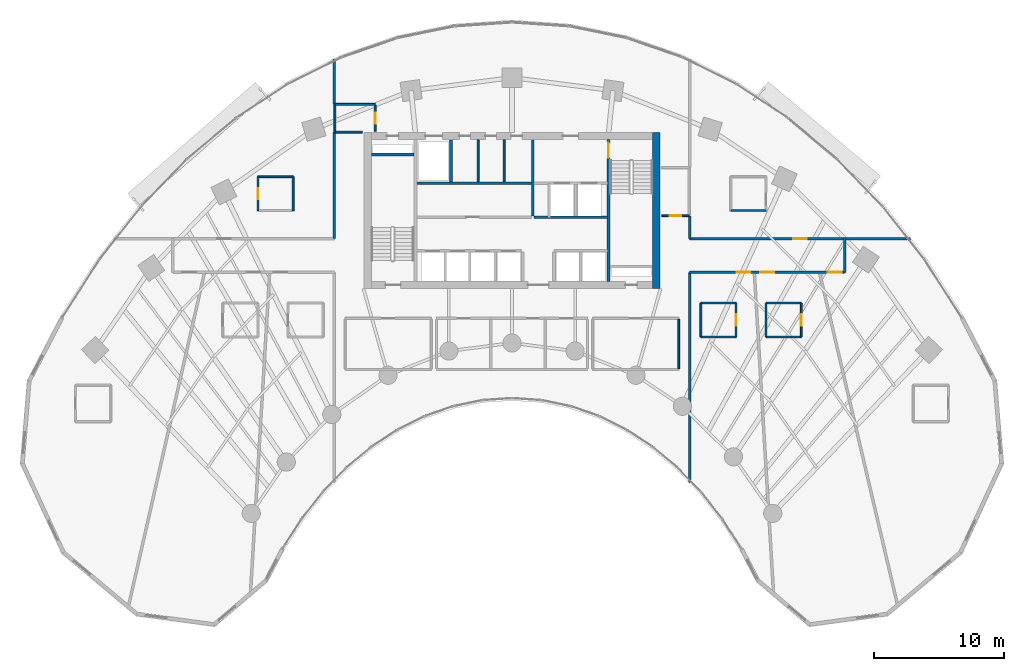
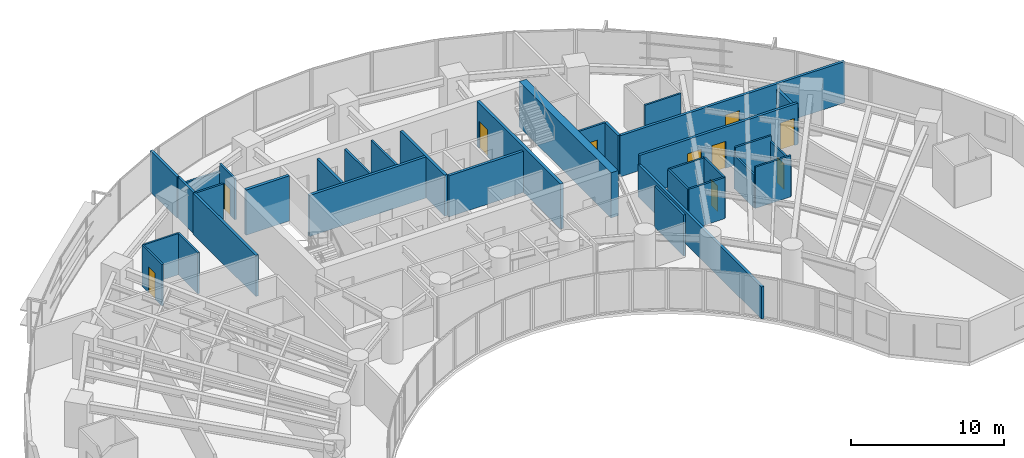
# One storey, part 13 of 17: 34 walls, 10 doors, 10 openings.
"""IFC4 building model written with IfcOpenShell, lengths in metres."""

from ifc_helpers import new_model, si_unit, direction, frame, frame_2d, origin, place, context, subcontext, project, spatial, rectangle, extrude, source, transform, mapped, material, layer, layer_set, type_object, type_shapes, element, fill, save


model = new_model("IFC4")

# Units and contexts
model_context = context("Model", 3, precision=1e-05, world=origin(), true_north=direction((0.0, 1.0)))
body_context = subcontext(model_context, "Body", "Model", "MODEL_VIEW")
ifc_project = project(units=[si_unit("LENGTHUNIT", "METRE"), si_unit("AREAUNIT", "SQUARE_METRE"), si_unit("VOLUMEUNIT", "CUBIC_METRE"), si_unit("PLANEANGLEUNIT", "RADIAN"), si_unit("MASSUNIT", "GRAM", prefix="KILO")], contexts=[model_context])

# Site, building, storey
site_placement = place(None, origin())
site = spatial("IfcSite", under=ifc_project, at=site_placement, CompositionType="ELEMENT")
building_placement = place(site_placement, origin())
building = spatial("IfcBuilding", under=site, at=building_placement, Name="Breltana Convention Tower", CompositionType="ELEMENT")
storey_placement = place(building_placement, frame((0.0, 0.0, 82.199951171875)))
storey = spatial("IfcBuildingStorey", under=building, at=storey_placement, Name="L19", CompositionType="ELEMENT", Elevation=82.199951171875)

# Walls
ifc_material_1 = material(Name="Concrete C60/75", Category="concrete")
ifc_layer_1 = layer(ifc_material_1, 0.550048828125, Name="Concrete C60/75")
ifc_layer_set_1 = layer_set([ifc_layer_1], Name="Concrete C60/75")
wall_type_1 = type_object("IfcWallType", Name="SW-CORE-550", PredefinedType="SHEAR", material=ifc_layer_set_1)
shared_shape_1 = source(origin(), body_context, "Body", "SweptSolid", [
    extrude(rectangle(XDim=12.0, YDim=0.550048828125, at=frame_2d((6.0, 0.0))), origin(), (0.0, 0.0, 1.0), 3.60009765625),
])
wall_1_placement = place(storey_placement, frame((59.074951171875, 60.199951171875, 0.0), z_axis=(0.0, 0.0, 1.0), x_axis=(0.0, 1.0, 0.0)))
element("IfcWall", 1, at=wall_1_placement, inside=storey, type_object=wall_type_1, Name="L19 East Core Shear Wall", PredefinedType="SHEAR", context=body_context, shape_type="MappedRepresentation", body=[
    mapped(shared_shape_1, transform((0.0, 0.0, 0.0), scale=1.0)),
])
ifc_material_2 = material(Name="Concrete C50/60", Category="concrete")
ifc_layer_2 = layer(ifc_material_2, 0.39990234375, Name="Concrete C50/60")
ifc_layer_set_2 = layer_set([ifc_layer_2], Name="Concrete C50/60")
wall_type_2 = type_object("IfcWallType", Name="SW-CORE-400", PredefinedType="SHEAR", material=ifc_layer_set_2)
shared_shape_2 = source(origin(), body_context, "Body", "SweptSolid", [
    extrude(rectangle(XDim=3.27001953125, YDim=0.219970703125, at=frame_2d((1.635009765625, 0.0))), origin(), (0.0, 0.0, 1.0), 3.60009765625),
])
wall_2_placement = place(storey_placement, frame((37.199951171875, 70.510009765625, 0.0), z_axis=(0.0, 0.0, 1.0), x_axis=(1.0, 0.0, 0.0)))
element("IfcWall", 2, at=wall_2_placement, inside=storey, type_object=wall_type_2, Name="L19 ST-1 Stairwell North Bearing Wall", PredefinedType="SHEAR", context=body_context, shape_type="MappedRepresentation", body=[
    mapped(shared_shape_2, transform((0.0, 0.0, 0.0), scale=1.0)),
])

# Wall, opening, door
shared_shape_3 = source(origin(), body_context, "Body", "SweptSolid", [
    extrude(rectangle(XDim=10.89990234375, YDim=0.219970703125, at=frame_2d((5.449951171875, 0.0))), origin(), (0.0, 0.0, 1.0), 3.60009765625),
])
wall_3_placement = place(storey_placement, frame((55.419921875, 60.75, 0.0), z_axis=(0.0, 0.0, 1.0), x_axis=(0.0, 1.0, 0.0)))
wall_3 = element("IfcWall", 3, at=wall_3_placement, inside=storey, type_object=wall_type_2, Name="L19 Core East Stair Spine Wall", PredefinedType="SHEAR", context=body_context, shape_type="MappedRepresentation", body=[
    mapped(shared_shape_3, transform((0.0, 0.0, 0.0), scale=1.0)),
])
opening_1_placement = place(wall_3_placement, frame((9.4951171875, 0.0, 0.0)))
opening_1 = element("IfcOpeningElement", 4, at=opening_1_placement, cuts=wall_3, Name="Opening D-11", PredefinedType="OPENING", context=body_context, shape_type="SweptSolid", body=[
    extrude(rectangle(XDim=1.14990234375, YDim=2.14990234375, at=frame_2d((0.574951171875, 1.074951171875))), frame((0.0, 0.1201171875, 0.0), z_axis=(0.0, -1.0, 0.0), x_axis=(1.0, 0.0, 0.0)), (0.0, 0.0, 1.0), 0.239990234375),
])
ifc_material_3 = material(Name="Steel Stair Exit Door", Category="steel")
door_type_1 = type_object("IfcDoorType", Name="DR-FD120-1150", OperationType="NOTDEFINED", PredefinedType="DOOR", material=ifc_material_3)
shared_shape_4 = source(origin(), body_context, "Body", "SweptSolid", [
    extrude(rectangle(XDim=1.14990234375, YDim=2.14990234375, at=frame_2d((0.574951171875, 1.074951171875))), frame((0.0, 0.02490234375, 0.0), z_axis=(0.0, -1.0, 0.0), x_axis=(1.0, 0.0, 0.0)), (0.0, 0.0, 1.0), 0.050048828125),
])
type_shapes(door_type_1, [shared_shape_4])
door_1_placement = place(opening_1_placement, origin())
door_1 = element("IfcDoor", 5, at=door_1_placement, inside=storey, type_object=door_type_1, Name="L19 interior door D-L19-ST2", OperationType="SINGLE_SWING_LEFT", OverallHeight=2.14990234375, OverallWidth=1.14990234375, PredefinedType="DOOR", context=body_context, shape_type="MappedRepresentation", body=[
    mapped(shared_shape_4, transform((0.0, 0.0, 0.0), scale=1.0)),
])
fill(opening_1, door_1)

# Walls
ifc_material_4 = material(Name="Autoclaved Aerated Concrete Block", Category="concrete")
ifc_layer_3 = layer(ifc_material_4, 0.199951171875, Name="Autoclaved Aerated Concrete Block")
ifc_layer_set_3 = layer_set([ifc_layer_3], Name="Autoclaved Aerated Concrete Block")
wall_type_3 = type_object("IfcWallType", Name="WL-SHAFT-200", PredefinedType="SOLIDWALL", material=ifc_layer_set_3)
shared_shape_5 = source(origin(), body_context, "Body", "SweptSolid", [
    extrude(rectangle(XDim=5.6201171875, YDim=0.199951171875, at=frame_2d((2.81005859375, 0.0))), origin(), (0.0, 0.0, 1.0), 3.280029296875),
])
wall_4_placement = place(storey_placement, frame((49.699951171875, 65.679931640625, 0.0), z_axis=(0.0, 0.0, 1.0), x_axis=(1.0, 0.0, 0.0)))
element("IfcWall", 6, at=wall_4_placement, inside=storey, type_object=wall_type_3, Name="L19 interior partition W-L19-FL-S", PredefinedType="SOLIDWALL", context=body_context, shape_type="MappedRepresentation", body=[
    mapped(shared_shape_5, transform((0.0, 0.0, 0.0), scale=1.0)),
])
shared_shape_6 = source(origin(), body_context, "Body", "SweptSolid", [
    extrude(rectangle(XDim=5.800048828125, YDim=0.199951171875, at=frame_2d((2.89990234375, 0.0))), origin(), (0.0, 0.0, 1.0), 3.280029296875),
])
wall_5_placement = place(storey_placement, frame((49.60009765625, 65.800048828125, 0.0), z_axis=(0.0, 0.0, 1.0), x_axis=(0.0, 1.0, 0.0)))
element("IfcWall", 7, at=wall_5_placement, inside=storey, type_object=wall_type_3, Name="L19 interior partition W-L19-FFL-W", PredefinedType="SOLIDWALL", context=body_context, shape_type="MappedRepresentation", body=[
    mapped(shared_shape_6, transform((0.0, 0.0, 0.0), scale=1.0)),
])
shared_shape_7 = source(origin(), body_context, "Body", "SweptSolid", [
    extrude(rectangle(XDim=3.2001953125, YDim=0.199951171875, at=frame_2d((1.60009765625, 0.0))), origin(), (0.0, 0.0, 1.0), 3.280029296875),
])
wall_6_placement = place(storey_placement, frame((43.320068359375, 68.39990234375, 0.0), z_axis=(0.0, 0.0, 1.0), x_axis=(0.0, 1.0, 0.0)))
element("IfcWall", 8, at=wall_6_placement, inside=storey, type_object=wall_type_3, Name="L19 interior partition W-L19-SV-E", PredefinedType="SOLIDWALL", context=body_context, shape_type="MappedRepresentation", body=[
    mapped(shared_shape_7, transform((0.0, 0.0, 0.0), scale=1.0)),
])
shared_shape_8 = source(origin(), body_context, "Body", "SweptSolid", [
    extrude(rectangle(XDim=8.800048828125, YDim=0.199951171875, at=frame_2d((4.39990234375, 0.0))), origin(), (0.0, 0.0, 1.0), 3.280029296875),
])
wall_7_placement = place(storey_placement, frame((40.699951171875, 68.300048828125, 0.0), z_axis=(0.0, 0.0, 1.0), x_axis=(1.0, 0.0, 0.0)))
element("IfcWall", 9, at=wall_7_placement, inside=storey, type_object=wall_type_3, Name="L19 interior partition W-L19-SV-S", PredefinedType="SOLIDWALL", context=body_context, shape_type="MappedRepresentation", body=[
    mapped(shared_shape_8, transform((0.0, 0.0, 0.0), scale=1.0)),
])
ifc_material_5 = material(Name="Gypsum Acoustic Drywall Partition")
ifc_layer_4 = layer(ifc_material_5, 0.14990234375, Name="Gypsum Acoustic Drywall Partition")
ifc_layer_set_4 = layer_set([ifc_layer_4], Name="Gypsum Acoustic Drywall Partition")
wall_type_4 = type_object("IfcWallType", Name="WL-PART-150", PredefinedType="PARTITIONING", material=ifc_layer_set_4)
shared_shape_9 = source(origin(), body_context, "Body", "SweptSolid", [
    extrude(rectangle(XDim=3.22998046875, YDim=0.14990234375, at=frame_2d((1.614990234375, 0.0))), origin(), (0.0, 0.0, 1.0), 3.280029296875),
])
for number, where, z_axis, x_axis, name in (
    (10, (45.39990234375, 68.39990234375, 0.0), (0.0, 0.0, 1.0), (0.0, 1.0, 0.0), "L19 interior partition W-L19-KV-1"),
    (11, (47.39990234375, 68.39990234375, 0.0), (0.0, 0.0, 1.0), (0.0, 1.0, 0.0), "L19 interior partition W-L19-KV-2"),
):
    element("IfcWall", number, at=place(storey_placement, frame(where, z_axis=z_axis, x_axis=x_axis)), inside=storey, type_object=wall_type_4, Name=name, PredefinedType="PARTITIONING", context=body_context, shape_type="MappedRepresentation", body=[
        mapped(shared_shape_9, transform((0.0, 0.0, 0.0), scale=1.0)),
    ])
shared_shape_10 = source(origin(), body_context, "Body", "SweptSolid", [
    extrude(rectangle(XDim=2.10009765625, YDim=0.14990234375, at=frame_2d((1.050048828125, 0.0))), origin(), (0.0, 0.0, 1.0), 3.280029296875),
])
wall_8_placement = place(storey_placement, frame((34.39990234375, 72.219970703125, 0.0), z_axis=(0.0, 0.0, 1.0), x_axis=(1.0, 0.0, 0.0)))
element("IfcWall", 12, at=wall_8_placement, inside=storey, type_object=wall_type_4, Name="L19 interior partition W-L19-CRNE-S", PredefinedType="PARTITIONING", context=body_context, shape_type="MappedRepresentation", body=[
    mapped(shared_shape_10, transform((0.0, 0.0, 0.0), scale=1.0)),
])

# Wall, opening, door
wall_9_placement = place(storey_placement, frame((59.5, 65.800048828125, 0.0), z_axis=(0.0, 0.0, 1.0), x_axis=(1.0, 0.0, 0.0)))
wall_9 = element("IfcWall", 13, at=wall_9_placement, inside=storey, type_object=wall_type_4, Name="L19 interior partition W-L19-CRSE-S", PredefinedType="PARTITIONING", context=body_context, shape_type="MappedRepresentation", body=[
    mapped(shared_shape_10, transform((0.0, 0.0, 0.0), scale=1.0)),
])
opening_2_placement = place(wall_9_placement, frame((0.625, 0.0, 0.0)))
opening_2 = element("IfcOpeningElement", 14, at=opening_2_placement, cuts=wall_9, Name="Opening D-20", PredefinedType="OPENING", context=body_context, shape_type="SweptSolid", body=[
    extrude(rectangle(XDim=0.85009765625, YDim=2.10009765625, at=frame_2d((0.425048828125, 1.050048828125))), frame((0.0, 0.0849609375, 0.0), z_axis=(0.0, -1.0, 0.0), x_axis=(1.0, 0.0, 0.0)), (0.0, 0.0, 1.0), 0.169921875),
])
ifc_material_6 = material(Name="Steel Closet Fire Door", Category="steel")
door_type_2 = type_object("IfcDoorType", Name="DR-FD60-850", OperationType="NOTDEFINED", PredefinedType="DOOR", material=ifc_material_6)
shared_shape_11 = source(origin(), body_context, "Body", "SweptSolid", [
    extrude(rectangle(XDim=0.85009765625, YDim=2.10009765625, at=frame_2d((0.425048828125, 1.050048828125))), frame((0.0, 0.02490234375, 0.0), z_axis=(0.0, -1.0, 0.0), x_axis=(1.0, 0.0, 0.0)), (0.0, 0.0, 1.0), 0.050048828125),
])
type_shapes(door_type_2, [shared_shape_11])
door_2_placement = place(opening_2_placement, origin())
door_2 = element("IfcDoor", 15, at=door_2_placement, inside=storey, type_object=door_type_2, Name="L19 interior door D-L19-CRSE", OperationType="SINGLE_SWING_RIGHT", OverallHeight=2.10009765625, OverallWidth=0.85009765625, PredefinedType="DOOR", context=body_context, shape_type="MappedRepresentation", body=[
    mapped(shared_shape_11, transform((0.0, 0.0, 0.0), scale=1.0)),
])
fill(opening_2, door_2)

# Walls
shared_shape_12 = source(origin(), body_context, "Body", "SweptSolid", [
    extrude(rectangle(XDim=3.10009765625, YDim=0.14990234375, at=frame_2d((1.550048828125, 0.0))), origin(), (0.0, 0.0, 1.0), 2.649169921875),
])
wall_10_placement = place(storey_placement, frame((34.39990234375, 74.35009765625, 0.0), z_axis=(0.0, 0.0, 1.0), x_axis=(1.0, 0.0, 0.0)))
element("IfcWall", 16, at=wall_10_placement, inside=storey, type_object=wall_type_4, Name="L19 interior partition W-L19-CRNE-N", PredefinedType="PARTITIONING", context=body_context, shape_type="MappedRepresentation", body=[
    mapped(shared_shape_12, transform((0.0, 0.0, 0.0), scale=1.0)),
])
shared_shape_13 = source(origin(), body_context, "Body", "SweptSolid", [
    extrude(rectangle(XDim=1.994873046875, YDim=0.14990234375, at=frame_2d((0.99755859375, 0.0))), origin(), (0.0, 0.0, 1.0), 3.280029296875),
])
wall_11_placement = place(storey_placement, frame((34.39990234375, 72.28759765625, 0.0), z_axis=(0.0, 0.0, 1.0), x_axis=(0.0, 1.0, 0.0)))
element("IfcWall", 17, at=wall_11_placement, inside=storey, type_object=wall_type_4, Name="L19 interior partition W-L19-CRNE-W", PredefinedType="PARTITIONING", context=body_context, shape_type="MappedRepresentation", body=[
    mapped(shared_shape_13, transform((0.0, 0.0, 0.0), scale=1.0)),
])

# Wall, opening, door
shared_shape_14 = source(origin(), body_context, "Body", "SweptSolid", [
    extrude(rectangle(XDim=1.982421875, YDim=0.14990234375, at=frame_2d((0.9912109375, 0.0))), origin(), (0.0, 0.0, 1.0), 3.280029296875),
])
wall_12_placement = place(storey_placement, frame((37.5, 72.300048828125, 0.0), z_axis=(0.0, 0.0, 1.0), x_axis=(0.0, 1.0, 0.0)))
wall_12 = element("IfcWall", 18, at=wall_12_placement, inside=storey, type_object=wall_type_4, Name="L19 interior partition W-L19-CRNE-E", PredefinedType="PARTITIONING", context=body_context, shape_type="MappedRepresentation", body=[
    mapped(shared_shape_14, transform((0.0, 0.0, 0.0), scale=1.0)),
])
opening_3_placement = place(wall_12_placement, frame((0.56640625, 0.0, 0.0)))
opening_3 = element("IfcOpeningElement", 19, at=opening_3_placement, cuts=wall_12, Name="Opening D-20", PredefinedType="OPENING", context=body_context, shape_type="SweptSolid", body=[
    extrude(rectangle(XDim=0.85009765625, YDim=2.10009765625, at=frame_2d((0.425048828125, 1.050048828125))), frame((0.0, 0.0849609375, 0.0), z_axis=(0.0, -1.0, 0.0), x_axis=(1.0, 0.0, 0.0)), (0.0, 0.0, 1.0), 0.169921875),
])
door_3_placement = place(opening_3_placement, origin())
door_3 = element("IfcDoor", 20, at=door_3_placement, inside=storey, type_object=door_type_2, Name="L19 interior door D-L19-CRNE", OperationType="SINGLE_SWING_LEFT", OverallHeight=2.10009765625, OverallWidth=0.85009765625, PredefinedType="DOOR", context=body_context, shape_type="MappedRepresentation", body=[
    mapped(shared_shape_11, transform((0.0, 0.0, 0.0), scale=1.0)),
])
fill(opening_3, door_3)

# Walls
ifc_material_7 = material(Name="Gypsum Acoustic Hotel Wall")
ifc_layer_5 = layer(ifc_material_7, 0.195068359375, Name="Gypsum Acoustic Hotel Wall")
ifc_layer_set_5 = layer_set([ifc_layer_5], Name="Gypsum Acoustic Hotel Wall")
wall_type_5 = type_object("IfcWallType", Name="WL-HOTEL-200", PredefinedType="PARTITIONING", material=ifc_layer_set_5)
shared_shape_15 = source(origin(), body_context, "Body", "SweptSolid", [
    extrude(rectangle(XDim=2.580078125, YDim=0.195068359375, at=frame_2d((1.2900390625, 0.0))), origin(), (0.0, 0.0, 1.0), 2.84716796875),
])
wall_13_placement = place(storey_placement, frame((73.5400390625, 61.4599609375, 0.0), z_axis=(0.0, 0.0, 1.0), x_axis=(0.0, 1.0, 0.0)))
element("IfcWall", 21, at=wall_13_placement, inside=storey, type_object=wall_type_5, Name="L19 interior partition W-L19-CORHE-END", PredefinedType="PARTITIONING", context=body_context, shape_type="MappedRepresentation", body=[
    mapped(shared_shape_15, transform((0.0, 0.0, 0.0), scale=1.0)),
])
shared_shape_16 = source(origin(), body_context, "Body", "SweptSolid", [
    extrude(rectangle(XDim=3.78515625, YDim=0.14990234375, at=frame_2d((1.892578125, 0.0))), origin(), (0.0, 0.0, 1.0), 3.280029296875),
])
wall_14_placement = place(storey_placement, frame((60.800048828125, 54.0673828125, 0.0), z_axis=(0.0, 0.0, 1.0), x_axis=(0.0, 1.0, 0.0)))
element("IfcWall", 22, at=wall_14_placement, inside=storey, type_object=wall_type_4, Name="L19 interior partition W-L19-HMT-E", PredefinedType="PARTITIONING", context=body_context, shape_type="MappedRepresentation", body=[
    mapped(shared_shape_16, transform((0.0, 0.0, 0.0), scale=1.0)),
])
shared_shape_17 = source(origin(), body_context, "Body", "SweptSolid", [
    extrude(rectangle(XDim=8.179931640625, YDim=0.195068359375, at=frame_2d((4.08984375, 0.0))), origin(), (0.0, 0.0, 1.0), 3.280029296875),
])
wall_15_placement = place(storey_placement, frame((34.360107421875, 64.0400390625, 0.0), z_axis=(0.0, 0.0, 1.0), x_axis=(0.0, 1.0, 0.0)))
element("IfcWall", 23, at=wall_15_placement, inside=storey, type_object=wall_type_5, Name="L19 interior partition W-L19-PHWN-CW1", PredefinedType="PARTITIONING", context=body_context, shape_type="MappedRepresentation", body=[
    mapped(shared_shape_17, transform((0.0, 0.0, 0.0), scale=1.0)),
])
shared_shape_18 = source(origin(), body_context, "Body", "SweptSolid", [
    extrude(rectangle(XDim=3.474365234375, YDim=0.195068359375, at=frame_2d((1.7373046875, 0.0))), origin(), (0.0, 0.0, 1.0), 3.280029296875),
])
wall_16_placement = place(storey_placement, frame((34.360107421875, 74.35009765625, 0.0), z_axis=(0.0, 0.0, 1.0), x_axis=(0.0, 1.0, 0.0)))
element("IfcWall", 24, at=wall_16_placement, inside=storey, type_object=wall_type_5, Name="L19 interior partition W-L19-PHWN-CW2", PredefinedType="PARTITIONING", context=body_context, shape_type="MappedRepresentation", body=[
    mapped(shared_shape_18, transform((0.0, 0.0, 0.0), scale=1.0)),
])
shared_shape_19 = source(origin(), body_context, "Body", "SweptSolid", [
    extrude(rectangle(XDim=1.760009765625, YDim=0.195068359375, at=frame_2d((0.8798828125, 0.0))), origin(), (0.0, 0.0, 1.0), 3.280029296875),
])
wall_17_placement = place(storey_placement, frame((61.639892578125, 64.0400390625, 0.0), z_axis=(0.0, 0.0, 1.0), x_axis=(0.0, 1.0, 0.0)))
element("IfcWall", 25, at=wall_17_placement, inside=storey, type_object=wall_type_5, Name="L19 interior partition W-L19-PHEN-CE1", PredefinedType="PARTITIONING", context=body_context, shape_type="MappedRepresentation", body=[
    mapped(shared_shape_19, transform((0.0, 0.0, 0.0), scale=1.0)),
])
shared_shape_20 = source(origin(), body_context, "Body", "SweptSolid", [
    extrude(rectangle(XDim=16.13427734375, YDim=0.195068359375, at=frame_2d((8.067138671875, 0.0))), origin(), (0.0, 0.0, 1.0), 2.56396484375),
])
wall_18_placement = place(storey_placement, frame((61.639892578125, 45.32568359375, 0.0), z_axis=(0.0, 0.0, 1.0), x_axis=(0.0, 1.0, 0.0)))
element("IfcWall", 26, at=wall_18_placement, inside=storey, type_object=wall_type_5, Name="L19 interior partition W-L19-SUM-E", PredefinedType="PARTITIONING", context=body_context, shape_type="MappedRepresentation", body=[
    mapped(shared_shape_20, transform((0.0, 0.0, 0.0), scale=1.0)),
])

# Wall, opening, door
shared_shape_21 = source(origin(), body_context, "Body", "SweptSolid", [
    extrude(rectangle(XDim=16.9296875, YDim=0.195068359375, at=frame_2d((8.46484375, 0.0))), origin(), (0.0, 0.0, 1.0), 3.280029296875),
])
wall_19_placement = place(storey_placement, frame((61.639892578125, 64.0400390625, 0.0), z_axis=(0.0, 0.0, 1.0), x_axis=(1.0, 0.0, 0.0)))
wall_19 = element("IfcWall", 27, at=wall_19_placement, inside=storey, type_object=wall_type_5, Name="L19 interior partition W-L19-CORHE-N", PredefinedType="PARTITIONING", context=body_context, shape_type="MappedRepresentation", body=[
    mapped(shared_shape_21, transform((0.0, 0.0, 0.0), scale=1.0)),
])
opening_4_placement = place(wall_19_placement, frame((7.939697265625, 0.0, 0.0)))
opening_4 = element("IfcOpeningElement", 28, at=opening_4_placement, cuts=wall_19, Name="Opening D-13", PredefinedType="OPENING", context=body_context, shape_type="SweptSolid", body=[
    extrude(rectangle(XDim=1.050048828125, YDim=2.14990234375, at=frame_2d((0.52490234375, 1.074951171875))), frame((0.0, 0.107421875, 0.0), z_axis=(0.0, -1.0, 0.0), x_axis=(1.0, 0.0, 0.0)), (0.0, 0.0, 1.0), 0.215087890625),
])
ifc_material_8 = material(Name="Timber Solid-Core Fire Door", Category="wood")
door_type_3 = type_object("IfcDoorType", Name="DR-FD60-1050", OperationType="NOTDEFINED", PredefinedType="DOOR", material=ifc_material_8)
shared_shape_22 = source(origin(), body_context, "Body", "SweptSolid", [
    extrude(rectangle(XDim=1.050048828125, YDim=2.14990234375, at=frame_2d((0.52490234375, 1.074951171875))), frame((0.0, 0.02490234375, 0.0), z_axis=(0.0, -1.0, 0.0), x_axis=(1.0, 0.0, 0.0)), (0.0, 0.0, 1.0), 0.050048828125),
])
type_shapes(door_type_3, [shared_shape_22])
door_4_placement = place(opening_4_placement, origin())
door_4 = element("IfcDoor", 29, at=door_4_placement, inside=storey, type_object=door_type_3, Name="L19 interior door D-L19-PHEN1", OperationType="SINGLE_SWING_RIGHT", OverallHeight=2.14990234375, OverallWidth=1.050048828125, PredefinedType="DOOR", context=body_context, shape_type="MappedRepresentation", body=[
    mapped(shared_shape_22, transform((0.0, 0.0, 0.0), scale=1.0)),
])
fill(opening_4, door_4)

# Wall, openings, doors
shared_shape_23 = source(origin(), body_context, "Body", "SweptSolid", [
    extrude(rectangle(XDim=11.900146484375, YDim=0.195068359375, at=frame_2d((5.9501953125, 0.0))), origin(), (0.0, 0.0, 1.0), 3.280029296875),
])
wall_20_placement = place(storey_placement, frame((61.639892578125, 61.4599609375, 0.0), z_axis=(0.0, 0.0, 1.0), x_axis=(1.0, 0.0, 0.0)))
wall_20 = element("IfcWall", 30, at=wall_20_placement, inside=storey, type_object=wall_type_5, Name="L19 interior partition W-L19-CORHE-S", PredefinedType="PARTITIONING", context=body_context, shape_type="MappedRepresentation", body=[
    mapped(shared_shape_23, transform((0.0, 0.0, 0.0), scale=1.0)),
])
opening_5_placement = place(wall_20_placement, frame((3.610107421875, 0.0, 0.0)))
opening_5 = element("IfcOpeningElement", 31, at=opening_5_placement, cuts=wall_20, Name="Opening D-13", PredefinedType="OPENING", context=body_context, shape_type="SweptSolid", body=[
    extrude(rectangle(XDim=1.050048828125, YDim=2.14990234375, at=frame_2d((0.52490234375, 1.074951171875))), frame((0.0, 0.107421875, 0.0), z_axis=(0.0, -1.0, 0.0), x_axis=(1.0, 0.0, 0.0)), (0.0, 0.0, 1.0), 0.215087890625),
])
opening_6_placement = place(wall_20_placement, frame((5.425048828125, 0.0, 0.0)))
opening_6 = element("IfcOpeningElement", 32, at=opening_6_placement, cuts=wall_20, Name="Opening D-13", PredefinedType="OPENING", context=body_context, shape_type="SweptSolid", body=[
    extrude(rectangle(XDim=1.050048828125, YDim=2.14990234375, at=frame_2d((0.52490234375, 1.074951171875))), frame((0.0, 0.107421875, 0.0), z_axis=(0.0, -1.0, 0.0), x_axis=(1.0, 0.0, 0.0)), (0.0, 0.0, 1.0), 0.215087890625),
])
opening_7_placement = place(wall_20_placement, frame((10.610107421875, 0.0, 0.0)))
opening_7 = element("IfcOpeningElement", 33, at=opening_7_placement, cuts=wall_20, Name="Opening D-13", PredefinedType="OPENING", context=body_context, shape_type="SweptSolid", body=[
    extrude(rectangle(XDim=1.050048828125, YDim=2.14990234375, at=frame_2d((0.52490234375, 1.074951171875))), frame((0.0, 0.107421875, 0.0), z_axis=(0.0, -1.0, 0.0), x_axis=(1.0, 0.0, 0.0)), (0.0, 0.0, 1.0), 0.215087890625),
])
door_5_placement = place(opening_5_placement, origin())
door_5 = element("IfcDoor", 34, at=door_5_placement, inside=storey, type_object=door_type_3, Name="L19 interior door D-L19-PHES1", OperationType="SINGLE_SWING_RIGHT", OverallHeight=2.14990234375, OverallWidth=1.050048828125, PredefinedType="DOOR", context=body_context, shape_type="MappedRepresentation", body=[
    mapped(shared_shape_22, transform((0.0, 0.0, 0.0), scale=1.0)),
])
fill(opening_5, door_5)
door_6_placement = place(opening_6_placement, origin())
door_6 = element("IfcDoor", 35, at=door_6_placement, inside=storey, type_object=door_type_3, Name="L19 interior door D-L19-PHES2", OperationType="SINGLE_SWING_RIGHT", OverallHeight=2.14990234375, OverallWidth=1.050048828125, PredefinedType="DOOR", context=body_context, shape_type="MappedRepresentation", body=[
    mapped(shared_shape_22, transform((0.0, 0.0, 0.0), scale=1.0)),
])
fill(opening_6, door_6)
door_7_placement = place(opening_7_placement, origin())
door_7 = element("IfcDoor", 36, at=door_7_placement, inside=storey, type_object=door_type_3, Name="L19 interior door D-L19-PHES3", OperationType="SINGLE_SWING_RIGHT", OverallHeight=2.14990234375, OverallWidth=1.050048828125, PredefinedType="DOOR", context=body_context, shape_type="MappedRepresentation", body=[
    mapped(shared_shape_22, transform((0.0, 0.0, 0.0), scale=1.0)),
])
fill(opening_7, door_7)

# Walls
ifc_material_9 = material(Name="Moisture-Resistant En-Suite Partition")
ifc_layer_6 = layer(ifc_material_9, 0.139892578125, Name="Moisture-Resistant En-Suite Partition")
ifc_layer_set_6 = layer_set([ifc_layer_6], Name="Moisture-Resistant En-Suite Partition")
wall_type_6 = type_object("IfcWallType", Name="WL-WET-150", PredefinedType="PARTITIONING", material=ifc_layer_set_6)
shared_shape_24 = source(origin(), body_context, "Body", "SweptSolid", [
    extrude(rectangle(XDim=2.699951171875, YDim=0.139892578125, at=frame_2d((1.35009765625, 0.0))), origin(), (0.0, 0.0, 1.0), 3.280029296875),
])
for number, where, z_axis, x_axis, name in (
    (37, (28.5, 68.800048828125, 0.0), (0.0, 0.0, 1.0), (1.0, 0.0, 0.0), "L19 interior partition W-L19-PHWN1E-N"),
    (38, (64.800048828125, 66.199951171875, 0.0), (0.0, 0.0, 1.0), (1.0, 0.0, 0.0), "L19 interior partition W-L19-PHEN1E-S"),
    (39, (62.5, 59.10009765625, 0.0), (0.0, 0.0, 1.0), (1.0, 0.0, 0.0), "L19 interior partition W-L19-PHES1E-N"),
    (40, (62.5, 56.5, 0.0), (0.0, 0.0, 1.0), (1.0, 0.0, 0.0), "L19 interior partition W-L19-PHES1E-S"),
    (41, (67.5, 59.10009765625, 0.0), (0.0, 0.0, 1.0), (1.0, 0.0, 0.0), "L19 interior partition W-L19-PHES2E-N"),
    (42, (67.5, 56.5, 0.0), (0.0, 0.0, 1.0), (1.0, 0.0, 0.0), "L19 interior partition W-L19-PHES2E-S"),
):
    element("IfcWall", number, at=place(storey_placement, frame(where, z_axis=z_axis, x_axis=x_axis)), inside=storey, type_object=wall_type_6, Name=name, PredefinedType="PARTITIONING", context=body_context, shape_type="MappedRepresentation", body=[
        mapped(shared_shape_24, transform((0.0, 0.0, 0.0), scale=1.0)),
    ])

# Wall, opening, door
shared_shape_25 = source(origin(), body_context, "Body", "SweptSolid", [
    extrude(rectangle(XDim=2.60009765625, YDim=0.139892578125, at=frame_2d((1.300048828125, 0.0))), origin(), (0.0, 0.0, 1.0), 3.280029296875),
])
wall_21_placement = place(storey_placement, frame((28.5, 66.199951171875, 0.0), z_axis=(0.0, 0.0, 1.0), x_axis=(0.0, 1.0, 0.0)))
wall_21 = element("IfcWall", 43, at=wall_21_placement, inside=storey, type_object=wall_type_6, Name="L19 interior partition W-L19-PHWN1E-W", PredefinedType="PARTITIONING", context=body_context, shape_type="MappedRepresentation", body=[
    mapped(shared_shape_25, transform((0.0, 0.0, 0.0), scale=1.0)),
])
opening_8_placement = place(wall_21_placement, frame((0.875, 0.0, 0.0)))
opening_8 = element("IfcOpeningElement", 44, at=opening_8_placement, cuts=wall_21, Name="Opening D-21", PredefinedType="OPENING", context=body_context, shape_type="SweptSolid", body=[
    extrude(rectangle(XDim=0.85009765625, YDim=2.050048828125, at=frame_2d((0.425048828125, 1.02490234375))), frame((0.0, 0.080078125, 0.0), z_axis=(0.0, -1.0, 0.0), x_axis=(1.0, 0.0, 0.0)), (0.0, 0.0, 1.0), 0.159912109375),
])
ifc_material_10 = material(Name="Timber Moisture-Resistant En-Suite Door", Category="wood")
door_type_4 = type_object("IfcDoorType", Name="DR-WET-850", OperationType="NOTDEFINED", PredefinedType="DOOR", material=ifc_material_10)
shared_shape_26 = source(origin(), body_context, "Body", "SweptSolid", [
    extrude(rectangle(XDim=0.85009765625, YDim=2.050048828125, at=frame_2d((0.425048828125, 1.02490234375))), frame((0.0, 0.02490234375, 0.0), z_axis=(0.0, -1.0, 0.0), x_axis=(1.0, 0.0, 0.0)), (0.0, 0.0, 1.0), 0.050048828125),
])
type_shapes(door_type_4, [shared_shape_26])
door_8_placement = place(opening_8_placement, origin())
door_8 = element("IfcDoor", 45, at=door_8_placement, inside=storey, type_object=door_type_4, Name="L19 interior door D-L19-PHWN1E", OperationType="SINGLE_SWING_LEFT", OverallHeight=2.050048828125, OverallWidth=0.85009765625, PredefinedType="DOOR", context=body_context, shape_type="MappedRepresentation", body=[
    mapped(shared_shape_26, transform((0.0, 0.0, 0.0), scale=1.0)),
])
fill(opening_8, door_8)

# Walls
for number, where, z_axis, x_axis, name in (
    (46, (31.199951171875, 66.199951171875, 0.0), (0.0, 0.0, 1.0), (0.0, 1.0, 0.0), "L19 interior partition W-L19-PHWN1E-E"),
    (47, (62.5, 56.5, 0.0), (0.0, 0.0, 1.0), (0.0, 1.0, 0.0), "L19 interior partition W-L19-PHES1E-W"),
):
    element("IfcWall", number, at=place(storey_placement, frame(where, z_axis=z_axis, x_axis=x_axis)), inside=storey, type_object=wall_type_6, Name=name, PredefinedType="PARTITIONING", context=body_context, shape_type="MappedRepresentation", body=[
        mapped(shared_shape_25, transform((0.0, 0.0, 0.0), scale=1.0)),
    ])

# Wall, opening, door
wall_22_placement = place(storey_placement, frame((65.199951171875, 56.5, 0.0), z_axis=(0.0, 0.0, 1.0), x_axis=(0.0, 1.0, 0.0)))
wall_22 = element("IfcWall", 48, at=wall_22_placement, inside=storey, type_object=wall_type_6, Name="L19 interior partition W-L19-PHES1E-E", PredefinedType="PARTITIONING", context=body_context, shape_type="MappedRepresentation", body=[
    mapped(shared_shape_25, transform((0.0, 0.0, 0.0), scale=1.0)),
])
opening_9_placement = place(wall_22_placement, frame((0.875, 0.0, 0.0)))
opening_9 = element("IfcOpeningElement", 49, at=opening_9_placement, cuts=wall_22, Name="Opening D-21", PredefinedType="OPENING", context=body_context, shape_type="SweptSolid", body=[
    extrude(rectangle(XDim=0.85009765625, YDim=2.050048828125, at=frame_2d((0.425048828125, 1.02490234375))), frame((0.0, 0.080078125, 0.0), z_axis=(0.0, -1.0, 0.0), x_axis=(1.0, 0.0, 0.0)), (0.0, 0.0, 1.0), 0.159912109375),
])
door_9_placement = place(opening_9_placement, origin())
door_9 = element("IfcDoor", 50, at=door_9_placement, inside=storey, type_object=door_type_4, Name="L19 interior door D-L19-PHES1E", OperationType="SINGLE_SWING_LEFT", OverallHeight=2.050048828125, OverallWidth=0.85009765625, PredefinedType="DOOR", context=body_context, shape_type="MappedRepresentation", body=[
    mapped(shared_shape_26, transform((0.0, 0.0, 0.0), scale=1.0)),
])
fill(opening_9, door_9)

shared_shape_27 = source(origin(), body_context, "Body", "SweptSolid", [
    extrude(rectangle(XDim=2.60009765625, YDim=0.139892578125, at=frame_2d((1.300048828125, 0.0))), origin(), (0.0, 0.0, 1.0), 2.84716796875),
])
wall_23_placement = place(storey_placement, frame((70.199951171875, 56.5, 0.0), z_axis=(0.0, 0.0, 1.0), x_axis=(0.0, 1.0, 0.0)))
wall_23 = element("IfcWall", 51, at=wall_23_placement, inside=storey, type_object=wall_type_6, Name="L19 interior partition W-L19-PHES2E-E", PredefinedType="PARTITIONING", context=body_context, shape_type="MappedRepresentation", body=[
    mapped(shared_shape_27, transform((0.0, 0.0, 0.0), scale=1.0)),
])
opening_10_placement = place(wall_23_placement, frame((0.875, 0.0, 0.0)))
opening_10 = element("IfcOpeningElement", 52, at=opening_10_placement, cuts=wall_23, Name="Opening D-21", PredefinedType="OPENING", context=body_context, shape_type="SweptSolid", body=[
    extrude(rectangle(XDim=0.85009765625, YDim=2.050048828125, at=frame_2d((0.425048828125, 1.02490234375))), frame((0.0, 0.080078125, 0.0), z_axis=(0.0, -1.0, 0.0), x_axis=(1.0, 0.0, 0.0)), (0.0, 0.0, 1.0), 0.159912109375),
])
door_10_placement = place(opening_10_placement, origin())
door_10 = element("IfcDoor", 53, at=door_10_placement, inside=storey, type_object=door_type_4, Name="L19 interior door D-L19-PHES2E", OperationType="SINGLE_SWING_LEFT", OverallHeight=2.050048828125, OverallWidth=0.85009765625, PredefinedType="DOOR", context=body_context, shape_type="MappedRepresentation", body=[
    mapped(shared_shape_26, transform((0.0, 0.0, 0.0), scale=1.0)),
])
fill(opening_10, door_10)

# Wall
shared_shape_28 = source(origin(), body_context, "Body", "SweptSolid", [
    extrude(rectangle(XDim=2.60009765625, YDim=0.139892578125, at=frame_2d((1.300048828125, 0.0))), origin(), (0.0, 0.0, 1.0), 2.649169921875),
])
wall_24_placement = place(storey_placement, frame((67.5, 56.5, 0.0), z_axis=(0.0, 0.0, 1.0), x_axis=(0.0, 1.0, 0.0)))
element("IfcWall", 54, at=wall_24_placement, inside=storey, type_object=wall_type_6, Name="L19 interior partition W-L19-PHES2E-W", PredefinedType="PARTITIONING", context=body_context, shape_type="MappedRepresentation", body=[
    mapped(shared_shape_28, transform((0.0, 0.0, 0.0), scale=1.0)),
])

save(model, "model.ifc")
